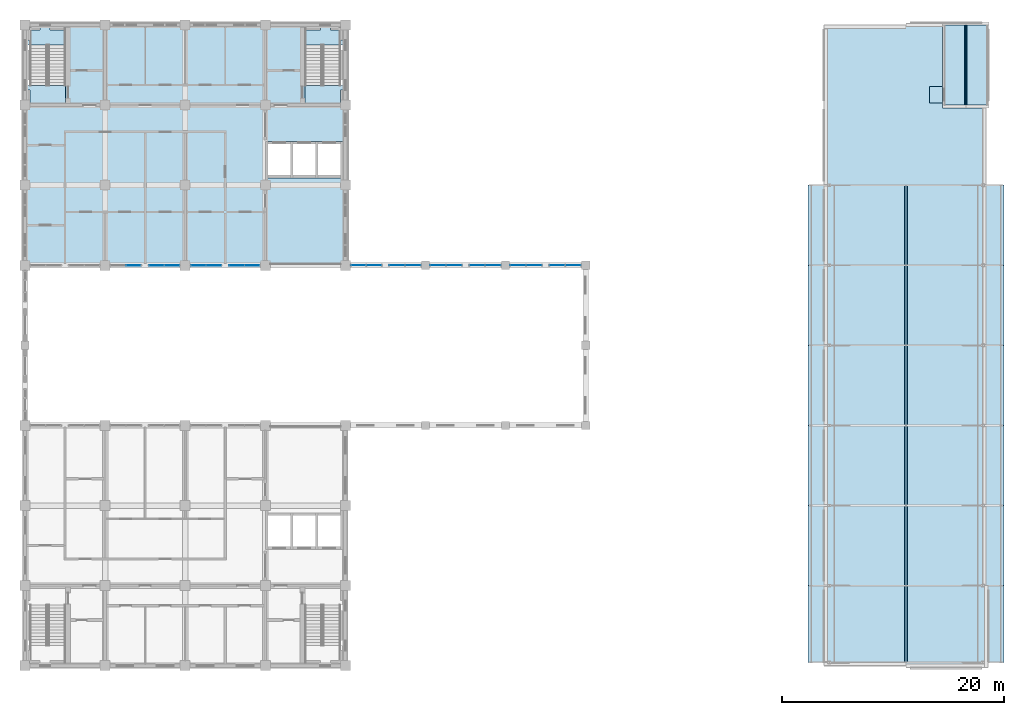
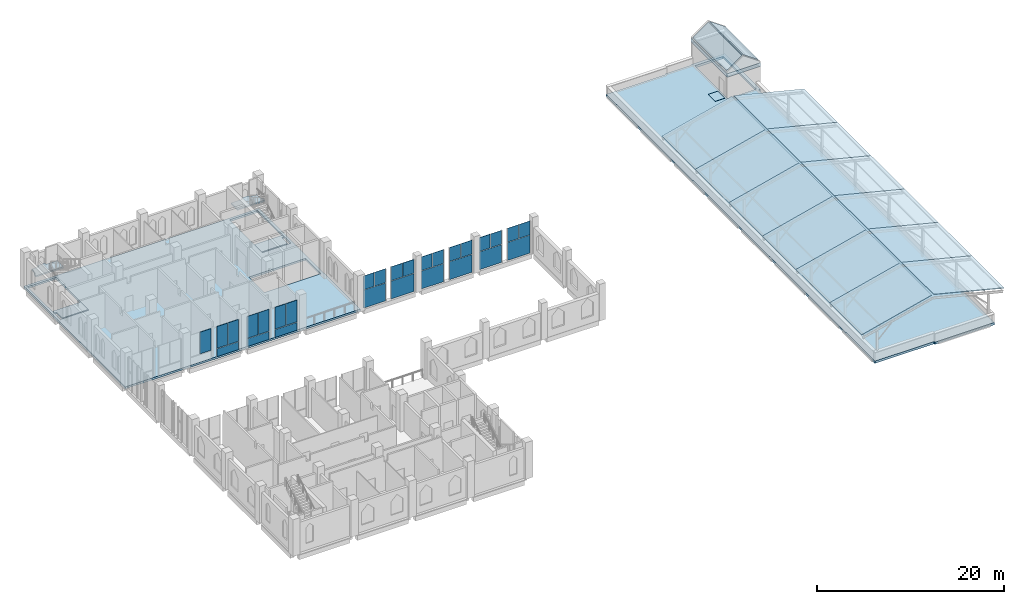
# One storey, part 18 of 30: 28 plates, 22 slabs, 12 elements without a shape of their own.
"""IFC4 building model written with IfcOpenShell, lengths in metres."""

from ifc_helpers import new_model, si_unit, direction, frame, origin, origin_2d, place, context, subcontext, project, spatial, polyline, rectangle, outline, extrude, material, layer, layer_set, type_object, element, aggregate, save


model = new_model("IFC4")

# Units and contexts
model_context = context("Model", 3, precision=1e-05, world=origin(), true_north=direction((0.0, 1.0)))
body_context = subcontext(model_context, "Body", "Model", "MODEL_VIEW")
ifc_project = project(units=[si_unit("LENGTHUNIT", "METRE"), si_unit("AREAUNIT", "SQUARE_METRE"), si_unit("VOLUMEUNIT", "CUBIC_METRE"), si_unit("PLANEANGLEUNIT", "RADIAN"), si_unit("MASSUNIT", "GRAM", prefix="KILO")], contexts=[model_context])

# Site, building, storey
site_placement = place(None, origin())
site = spatial("IfcSite", under=ifc_project, at=site_placement, CompositionType="ELEMENT")
building_placement = place(site_placement, origin())
building = spatial("IfcBuilding", under=site, at=building_placement, Name="Silangan Lancet Faculty of Sciences", CompositionType="ELEMENT")
storey_placement = place(building_placement, frame((0.0, 0.0, 31.199951171875)))
storey = spatial("IfcBuildingStorey", under=building, at=storey_placement, Name="L06", CompositionType="ELEMENT", Elevation=31.199951171875)

# Curtain wall, plates
ifc_material_1 = material(Name="Aluminium framed curtain wall with insulated glass", Category="aluminium")
curtain_wall_type_1 = type_object("IfcCurtainWallType", Name="CW5 Nave north light glazing", PredefinedType="NOTDEFINED", material=ifc_material_1)
curtain_wall_1_placement = place(storey_placement, origin())
curtain_wall_1 = element("IfcCurtainWall", 1, at=curtain_wall_1_placement, inside=storey, type_object=curtain_wall_type_1, Name="CW5 Nave north lights L06 bay 1", PredefinedType="NOTDEFINED")
ifc_material_2 = material(Name="Insulated glass unit 8+16+8 low-emissivity", Category="glass")
ifc_layer_1 = layer(ifc_material_2, 0.031982421875)
ifc_layer_set_1 = layer_set([ifc_layer_1], Name="Insulated glass unit 8+16+8 low-emissivity")
plate_type_1 = type_object("IfcPlateType", Name="CP1 Panel vision glass 32", PredefinedType="CURTAIN_PANEL", material=ifc_layer_set_1)
plate_1_placement = place(storey_placement, frame((48.5625, 36.0, 0.0), z_axis=(0.0, 0.0, 1.0), x_axis=(-1.0, 0.0, 0.0)))
plate_1 = element("IfcPlate", 2, at=plate_1_placement, type_object=plate_type_1, Name="CW5 Nave north lights L06 bay 1 panel 1", PredefinedType="CURTAIN_PANEL", context=body_context, shape_type="SweptSolid", body=[
    extrude(rectangle(XDim=2.804931640625, YDim=0.031982421875, at=origin_2d()), origin(), (0.0, 0.0, 1.0), 2.340087890625),
])
plate_2_placement = place(storey_placement, frame((49.27880859375, 36.0, 2.39990234375), z_axis=(0.0, 0.0, 1.0), x_axis=(-1.0, 0.0, 0.0)))
plate_2 = element("IfcPlate", 3, at=plate_2_placement, type_object=plate_type_1, Name="CW5 Nave north lights L06 bay 1 panel 2", PredefinedType="CURTAIN_PANEL", context=body_context, shape_type="SweptSolid", body=[
    extrude(rectangle(XDim=1.37255859375, YDim=0.031982421875, at=origin_2d()), origin(), (0.0, 0.0, 1.0), 1.800048828125),
])
plate_3_placement = place(storey_placement, frame((47.84619140625, 36.0, 2.39990234375), z_axis=(0.0, 0.0, 1.0), x_axis=(-1.0, 0.0, 0.0)))
plate_3 = element("IfcPlate", 4, at=plate_3_placement, type_object=plate_type_1, Name="CW5 Nave north lights L06 bay 1 panel 3", PredefinedType="CURTAIN_PANEL", context=body_context, shape_type="SweptSolid", body=[
    extrude(rectangle(XDim=1.37255859375, YDim=0.031982421875, at=origin_2d()), origin(), (0.0, 0.0, 1.0), 1.800048828125),
])
aggregate(curtain_wall_1, [plate_1, plate_2, plate_3])

curtain_wall_2_placement = place(storey_placement, origin())
curtain_wall_2 = element("IfcCurtainWall", 5, at=curtain_wall_2_placement, inside=storey, type_object=curtain_wall_type_1, Name="CW5 Nave north lights L06 bay 2", PredefinedType="NOTDEFINED")
plate_4_placement = place(storey_placement, frame((45.03759765625, 36.0, 0.0), z_axis=(0.0, 0.0, 1.0), x_axis=(-1.0, 0.0, 0.0)))
plate_4 = element("IfcPlate", 6, at=plate_4_placement, type_object=plate_type_1, Name="CW5 Nave north lights L06 bay 2 panel 1", PredefinedType="CURTAIN_PANEL", context=body_context, shape_type="SweptSolid", body=[
    extrude(rectangle(XDim=2.804931640625, YDim=0.031982421875, at=origin_2d()), origin(), (0.0, 0.0, 1.0), 2.340087890625),
])
plate_5_placement = place(storey_placement, frame((45.753662109375, 36.0, 2.39990234375), z_axis=(0.0, 0.0, 1.0), x_axis=(-1.0, 0.0, 0.0)))
plate_5 = element("IfcPlate", 7, at=plate_5_placement, type_object=plate_type_1, Name="CW5 Nave north lights L06 bay 2 panel 2", PredefinedType="CURTAIN_PANEL", context=body_context, shape_type="SweptSolid", body=[
    extrude(rectangle(XDim=1.37255859375, YDim=0.031982421875, at=origin_2d()), origin(), (0.0, 0.0, 1.0), 1.800048828125),
])
plate_6_placement = place(storey_placement, frame((44.3212890625, 36.0, 2.39990234375), z_axis=(0.0, 0.0, 1.0), x_axis=(-1.0, 0.0, 0.0)))
plate_6 = element("IfcPlate", 8, at=plate_6_placement, type_object=plate_type_1, Name="CW5 Nave north lights L06 bay 2 panel 3", PredefinedType="CURTAIN_PANEL", context=body_context, shape_type="SweptSolid", body=[
    extrude(rectangle(XDim=1.37255859375, YDim=0.031982421875, at=origin_2d()), origin(), (0.0, 0.0, 1.0), 1.800048828125),
])
aggregate(curtain_wall_2, [plate_4, plate_5, plate_6])

curtain_wall_3_placement = place(storey_placement, origin())
curtain_wall_3 = element("IfcCurtainWall", 9, at=curtain_wall_3_placement, inside=storey, type_object=curtain_wall_type_1, Name="CW5 Nave north lights L06 bay 3", PredefinedType="NOTDEFINED")
plate_7_placement = place(storey_placement, frame((41.362548828125, 36.0, 0.0), z_axis=(0.0, 0.0, 1.0), x_axis=(-1.0, 0.0, 0.0)))
plate_7 = element("IfcPlate", 10, at=plate_7_placement, type_object=plate_type_1, Name="CW5 Nave north lights L06 bay 3 panel 1", PredefinedType="CURTAIN_PANEL", context=body_context, shape_type="SweptSolid", body=[
    extrude(rectangle(XDim=2.804931640625, YDim=0.031982421875, at=origin_2d()), origin(), (0.0, 0.0, 1.0), 2.340087890625),
])
plate_8_placement = place(storey_placement, frame((42.078857421875, 36.0, 2.39990234375), z_axis=(0.0, 0.0, 1.0), x_axis=(-1.0, 0.0, 0.0)))
plate_8 = element("IfcPlate", 11, at=plate_8_placement, type_object=plate_type_1, Name="CW5 Nave north lights L06 bay 3 panel 2", PredefinedType="CURTAIN_PANEL", context=body_context, shape_type="SweptSolid", body=[
    extrude(rectangle(XDim=1.37255859375, YDim=0.031982421875, at=origin_2d()), origin(), (0.0, 0.0, 1.0), 1.800048828125),
])
plate_9_placement = place(storey_placement, frame((40.646240234375, 36.0, 2.39990234375), z_axis=(0.0, 0.0, 1.0), x_axis=(-1.0, 0.0, 0.0)))
plate_9 = element("IfcPlate", 12, at=plate_9_placement, type_object=plate_type_1, Name="CW5 Nave north lights L06 bay 3 panel 3", PredefinedType="CURTAIN_PANEL", context=body_context, shape_type="SweptSolid", body=[
    extrude(rectangle(XDim=1.37255859375, YDim=0.031982421875, at=origin_2d()), origin(), (0.0, 0.0, 1.0), 1.800048828125),
])
aggregate(curtain_wall_3, [plate_7, plate_8, plate_9])

curtain_wall_4_placement = place(storey_placement, origin())
curtain_wall_4 = element("IfcCurtainWall", 13, at=curtain_wall_4_placement, inside=storey, type_object=curtain_wall_type_1, Name="CW5 Nave north lights L06 bay 4", PredefinedType="NOTDEFINED")
plate_10_placement = place(storey_placement, frame((37.837646484375, 36.0, 0.0), z_axis=(0.0, 0.0, 1.0), x_axis=(-1.0, 0.0, 0.0)))
plate_10 = element("IfcPlate", 14, at=plate_10_placement, type_object=plate_type_1, Name="CW5 Nave north lights L06 bay 4 panel 1", PredefinedType="CURTAIN_PANEL", context=body_context, shape_type="SweptSolid", body=[
    extrude(rectangle(XDim=2.80517578125, YDim=0.031982421875, at=origin_2d()), origin(), (0.0, 0.0, 1.0), 2.340087890625),
])
plate_11_placement = place(storey_placement, frame((38.5537109375, 36.0, 2.39990234375), z_axis=(0.0, 0.0, 1.0), x_axis=(-1.0, 0.0, 0.0)))
plate_11 = element("IfcPlate", 15, at=plate_11_placement, type_object=plate_type_1, Name="CW5 Nave north lights L06 bay 4 panel 2", PredefinedType="CURTAIN_PANEL", context=body_context, shape_type="SweptSolid", body=[
    extrude(rectangle(XDim=1.37255859375, YDim=0.031982421875, at=origin_2d()), origin(), (0.0, 0.0, 1.0), 1.800048828125),
])
plate_12_placement = place(storey_placement, frame((37.121337890625, 36.0, 2.39990234375), z_axis=(0.0, 0.0, 1.0), x_axis=(-1.0, 0.0, 0.0)))
plate_12 = element("IfcPlate", 16, at=plate_12_placement, type_object=plate_type_1, Name="CW5 Nave north lights L06 bay 4 panel 3", PredefinedType="CURTAIN_PANEL", context=body_context, shape_type="SweptSolid", body=[
    extrude(rectangle(XDim=1.37255859375, YDim=0.031982421875, at=origin_2d()), origin(), (0.0, 0.0, 1.0), 1.800048828125),
])
aggregate(curtain_wall_4, [plate_10, plate_11, plate_12])

curtain_wall_5_placement = place(storey_placement, origin())
curtain_wall_5 = element("IfcCurtainWall", 17, at=curtain_wall_5_placement, inside=storey, type_object=curtain_wall_type_1, Name="CW5 Nave north lights L06 bay 5", PredefinedType="NOTDEFINED")
plate_13_placement = place(storey_placement, frame((34.162353515625, 36.0, 0.0), z_axis=(0.0, 0.0, 1.0), x_axis=(-1.0, 0.0, 0.0)))
plate_13 = element("IfcPlate", 18, at=plate_13_placement, type_object=plate_type_1, Name="CW5 Nave north lights L06 bay 5 panel 1", PredefinedType="CURTAIN_PANEL", context=body_context, shape_type="SweptSolid", body=[
    extrude(rectangle(XDim=2.80517578125, YDim=0.031982421875, at=origin_2d()), origin(), (0.0, 0.0, 1.0), 2.340087890625),
])
plate_14_placement = place(storey_placement, frame((34.878662109375, 36.0, 2.39990234375), z_axis=(0.0, 0.0, 1.0), x_axis=(-1.0, 0.0, 0.0)))
plate_14 = element("IfcPlate", 19, at=plate_14_placement, type_object=plate_type_1, Name="CW5 Nave north lights L06 bay 5 panel 2", PredefinedType="CURTAIN_PANEL", context=body_context, shape_type="SweptSolid", body=[
    extrude(rectangle(XDim=1.37255859375, YDim=0.031982421875, at=origin_2d()), origin(), (0.0, 0.0, 1.0), 1.800048828125),
])
plate_15_placement = place(storey_placement, frame((33.4462890625, 36.0, 2.39990234375), z_axis=(0.0, 0.0, 1.0), x_axis=(-1.0, 0.0, 0.0)))
plate_15 = element("IfcPlate", 20, at=plate_15_placement, type_object=plate_type_1, Name="CW5 Nave north lights L06 bay 5 panel 3", PredefinedType="CURTAIN_PANEL", context=body_context, shape_type="SweptSolid", body=[
    extrude(rectangle(XDim=1.37255859375, YDim=0.031982421875, at=origin_2d()), origin(), (0.0, 0.0, 1.0), 1.800048828125),
])
aggregate(curtain_wall_5, [plate_13, plate_14, plate_15])

curtain_wall_6_placement = place(storey_placement, origin())
curtain_wall_6 = element("IfcCurtainWall", 21, at=curtain_wall_6_placement, inside=storey, type_object=curtain_wall_type_1, Name="CW5 Nave north lights L06 bay 6", PredefinedType="NOTDEFINED")
plate_16_placement = place(storey_placement, frame((30.675048828125, 36.0, 0.0), z_axis=(0.0, 0.0, 1.0), x_axis=(-1.0, 0.0, 0.0)))
plate_16 = element("IfcPlate", 22, at=plate_16_placement, type_object=plate_type_1, Name="CW5 Nave north lights L06 bay 6 panel 1", PredefinedType="CURTAIN_PANEL", context=body_context, shape_type="SweptSolid", body=[
    extrude(rectangle(XDim=2.72998046875, YDim=0.031982421875, at=origin_2d()), origin(), (0.0, 0.0, 1.0), 2.340087890625),
])
plate_17_placement = place(storey_placement, frame((31.372314453125, 36.0, 2.39990234375), z_axis=(0.0, 0.0, 1.0), x_axis=(-1.0, 0.0, 0.0)))
plate_17 = element("IfcPlate", 23, at=plate_17_placement, type_object=plate_type_1, Name="CW5 Nave north lights L06 bay 6 panel 2", PredefinedType="CURTAIN_PANEL", context=body_context, shape_type="SweptSolid", body=[
    extrude(rectangle(XDim=1.3349609375, YDim=0.031982421875, at=origin_2d()), origin(), (0.0, 0.0, 1.0), 1.800048828125),
])
plate_18_placement = place(storey_placement, frame((29.9775390625, 36.0, 2.39990234375), z_axis=(0.0, 0.0, 1.0), x_axis=(-1.0, 0.0, 0.0)))
plate_18 = element("IfcPlate", 24, at=plate_18_placement, type_object=plate_type_1, Name="CW5 Nave north lights L06 bay 6 panel 3", PredefinedType="CURTAIN_PANEL", context=body_context, shape_type="SweptSolid", body=[
    extrude(rectangle(XDim=1.3349609375, YDim=0.031982421875, at=origin_2d()), origin(), (0.0, 0.0, 1.0), 1.800048828125),
])
aggregate(curtain_wall_6, [plate_16, plate_17, plate_18])

# Curtain wall, plate
ifc_material_3 = material(Name="Aluminium framed curtain wall with insulated glass", Category="aluminium")
curtain_wall_type_2 = type_object("IfcCurtainWallType", Name="CW2 Atrium fire-resisting screen", PredefinedType="NOTDEFINED", material=ifc_material_3)
curtain_wall_7_placement = place(storey_placement, origin())
curtain_wall_7 = element("IfcCurtainWall", 25, at=curtain_wall_7_placement, inside=storey, type_object=curtain_wall_type_2, Name="CW2 Atrium north L06 bay 3", PredefinedType="NOTDEFINED")
ifc_material_4 = material(Name="Fire-resisting glass unit 40 mm, integrity E", Category="glass")
ifc_layer_2 = layer(ifc_material_4, 0.0400390625)
ifc_layer_set_2 = layer_set([ifc_layer_2], Name="Fire-resisting glass unit 40 mm, integrity E")
plate_type_2 = type_object("IfcPlateType", Name="CP3 Panel fire-resisting glass 40", PredefinedType="CURTAIN_PANEL", material=ifc_layer_set_2)
plate_19_placement = place(storey_placement, frame((9.768798828125, 36.0, 1.10009765625), z_axis=(0.0, 0.0, 1.0), x_axis=(1.0, 0.0, 0.0)))
plate_19 = element("IfcPlate", 26, at=plate_19_placement, type_object=plate_type_2, Name="CW2 Atrium north L06 bay 3 panel 3", PredefinedType="CURTAIN_PANEL", context=body_context, shape_type="SweptSolid", body=[
    extrude(rectangle(XDim=1.3125, YDim=0.0400390625, at=origin_2d()), origin(), (0.0, 0.0, 1.0), 2.85009765625),
])
aggregate(curtain_wall_7, [plate_19])

# Curtain wall, plates
curtain_wall_8_placement = place(storey_placement, origin())
curtain_wall_8 = element("IfcCurtainWall", 27, at=curtain_wall_8_placement, inside=storey, type_object=curtain_wall_type_2, Name="CW2 Atrium north L06 bay 4", PredefinedType="NOTDEFINED")
plate_20_placement = place(storey_placement, frame((12.52490234375, 36.0, 0.0), z_axis=(0.0, 0.0, 1.0), x_axis=(1.0, 0.0, 0.0)))
plate_20 = element("IfcPlate", 28, at=plate_20_placement, type_object=plate_type_2, Name="CW2 Atrium north L06 bay 4 panel 1", PredefinedType="CURTAIN_PANEL", context=body_context, shape_type="SweptSolid", body=[
    extrude(rectangle(XDim=2.699951171875, YDim=0.0400390625, at=origin_2d()), origin(), (0.0, 0.0, 1.0), 1.02490234375),
])
plate_21_placement = place(storey_placement, frame((11.831298828125, 36.0, 1.10009765625), z_axis=(0.0, 0.0, 1.0), x_axis=(1.0, 0.0, 0.0)))
plate_21 = element("IfcPlate", 29, at=plate_21_placement, type_object=plate_type_2, Name="CW2 Atrium north L06 bay 4 panel 2", PredefinedType="CURTAIN_PANEL", context=body_context, shape_type="SweptSolid", body=[
    extrude(rectangle(XDim=1.3125, YDim=0.0400390625, at=origin_2d()), origin(), (0.0, 0.0, 1.0), 2.85009765625),
])
plate_22_placement = place(storey_placement, frame((13.21875, 36.0, 1.10009765625), z_axis=(0.0, 0.0, 1.0), x_axis=(1.0, 0.0, 0.0)))
plate_22 = element("IfcPlate", 30, at=plate_22_placement, type_object=plate_type_2, Name="CW2 Atrium north L06 bay 4 panel 3", PredefinedType="CURTAIN_PANEL", context=body_context, shape_type="SweptSolid", body=[
    extrude(rectangle(XDim=1.3125, YDim=0.0400390625, at=origin_2d()), origin(), (0.0, 0.0, 1.0), 2.85009765625),
])
aggregate(curtain_wall_8, [plate_20, plate_21, plate_22])

curtain_wall_9_placement = place(storey_placement, origin())
curtain_wall_9 = element("IfcCurtainWall", 31, at=curtain_wall_9_placement, inside=storey, type_object=curtain_wall_type_2, Name="CW2 Atrium north L06 bay 5", PredefinedType="NOTDEFINED")
plate_23_placement = place(storey_placement, frame((16.27490234375, 36.0, 0.0), z_axis=(0.0, 0.0, 1.0), x_axis=(1.0, 0.0, 0.0)))
plate_23 = element("IfcPlate", 32, at=plate_23_placement, type_object=plate_type_2, Name="CW2 Atrium north L06 bay 5 panel 1", PredefinedType="CURTAIN_PANEL", context=body_context, shape_type="SweptSolid", body=[
    extrude(rectangle(XDim=2.699951171875, YDim=0.0400390625, at=origin_2d()), origin(), (0.0, 0.0, 1.0), 1.02490234375),
])
plate_24_placement = place(storey_placement, frame((15.581298828125, 36.0, 1.10009765625), z_axis=(0.0, 0.0, 1.0), x_axis=(1.0, 0.0, 0.0)))
plate_24 = element("IfcPlate", 33, at=plate_24_placement, type_object=plate_type_2, Name="CW2 Atrium north L06 bay 5 panel 2", PredefinedType="CURTAIN_PANEL", context=body_context, shape_type="SweptSolid", body=[
    extrude(rectangle(XDim=1.3125, YDim=0.0400390625, at=origin_2d()), origin(), (0.0, 0.0, 1.0), 2.85009765625),
])
plate_25_placement = place(storey_placement, frame((16.96875, 36.0, 1.10009765625), z_axis=(0.0, 0.0, 1.0), x_axis=(1.0, 0.0, 0.0)))
plate_25 = element("IfcPlate", 34, at=plate_25_placement, type_object=plate_type_2, Name="CW2 Atrium north L06 bay 5 panel 3", PredefinedType="CURTAIN_PANEL", context=body_context, shape_type="SweptSolid", body=[
    extrude(rectangle(XDim=1.3125, YDim=0.0400390625, at=origin_2d()), origin(), (0.0, 0.0, 1.0), 2.85009765625),
])
aggregate(curtain_wall_9, [plate_23, plate_24, plate_25])

curtain_wall_10_placement = place(storey_placement, origin())
curtain_wall_10 = element("IfcCurtainWall", 35, at=curtain_wall_10_placement, inside=storey, type_object=curtain_wall_type_2, Name="CW2 Atrium north L06 bay 6", PredefinedType="NOTDEFINED")
plate_26_placement = place(storey_placement, frame((19.72509765625, 36.0, 0.0), z_axis=(0.0, 0.0, 1.0), x_axis=(1.0, 0.0, 0.0)))
plate_26 = element("IfcPlate", 36, at=plate_26_placement, type_object=plate_type_2, Name="CW2 Atrium north L06 bay 6 panel 1", PredefinedType="CURTAIN_PANEL", context=body_context, shape_type="SweptSolid", body=[
    extrude(rectangle(XDim=2.699951171875, YDim=0.0400390625, at=origin_2d()), origin(), (0.0, 0.0, 1.0), 1.02490234375),
])
plate_27_placement = place(storey_placement, frame((19.03125, 36.0, 1.10009765625), z_axis=(0.0, 0.0, 1.0), x_axis=(1.0, 0.0, 0.0)))
plate_27 = element("IfcPlate", 37, at=plate_27_placement, type_object=plate_type_2, Name="CW2 Atrium north L06 bay 6 panel 2", PredefinedType="CURTAIN_PANEL", context=body_context, shape_type="SweptSolid", body=[
    extrude(rectangle(XDim=1.3125, YDim=0.0400390625, at=origin_2d()), origin(), (0.0, 0.0, 1.0), 2.85009765625),
])
plate_28_placement = place(storey_placement, frame((20.418701171875, 36.0, 1.10009765625), z_axis=(0.0, 0.0, 1.0), x_axis=(1.0, 0.0, 0.0)))
plate_28 = element("IfcPlate", 38, at=plate_28_placement, type_object=plate_type_2, Name="CW2 Atrium north L06 bay 6 panel 3", PredefinedType="CURTAIN_PANEL", context=body_context, shape_type="SweptSolid", body=[
    extrude(rectangle(XDim=1.3125, YDim=0.0400390625, at=origin_2d()), origin(), (0.0, 0.0, 1.0), 2.85009765625),
])
aggregate(curtain_wall_10, [plate_26, plate_27, plate_28])

# Slabs
ifc_material_5 = material(Name="Concrete C35/45", Category="concrete")
ifc_layer_3 = layer(ifc_material_5, 0.449951171875)
ifc_layer_set_3 = layer_set([ifc_layer_3], Name="Concrete C35/45")
slab_type_1 = type_object("IfcSlabType", Name="Head-house lid slab 450", PredefinedType="FLOOR", material=ifc_layer_set_3)
slab_1_placement = place(storey_placement, frame((0.0, 0.0, 3.0)))
element("IfcSlab", 39, at=slab_1_placement, inside=storey, type_object=slab_type_1, Name="Head-house EB-B lid slab", PredefinedType="FLOOR", context=body_context, shape_type="SweptSolid", body=[
    extrude(outline(polyline([(82.5, 50.14990234375), (86.64990234375, 50.14990234375), (86.64990234375, 57.85009765625), (82.5, 57.85009765625), (82.5, 50.14990234375)])), origin(), (0.0, 0.0, 1.0), 0.449951171875),
])
ifc_material_6 = material(Name="Concrete C35/45 precast", Category="concrete")
ifc_layer_4 = layer(ifc_material_6, 0.1201171875)
ifc_layer_set_4 = layer_set([ifc_layer_4], Name="Concrete C35/45 precast")
slab_type_2 = type_object("IfcSlabType", Name="Head-house roof panel 120", PredefinedType="ROOF", material=ifc_layer_set_4)
slab_2_placement = place(storey_placement, frame((82.55615234375, 50.39990234375, 3.6982421875), z_axis=(-0.5734273892, 0.0, 0.819256388022), x_axis=(0.0, 1.0, 0.0)))
element("IfcSlab", 40, at=slab_2_placement, inside=storey, type_object=slab_type_2, Name="Head-house EB-B roof panel W", PredefinedType="ROOF", context=body_context, shape_type="SweptSolid", body=[
    extrude(outline(polyline([(0.0, 0.0), (7.2001953125, 0.0), (7.2001953125, -2.343791325522714), (0.0, -2.343791325522714), (0.0, 0.0)])), origin(), (0.0, 0.0, -1.0), 0.1201171875),
])
slab_3_placement = place(storey_placement, frame((86.59375, 50.39990234375, 3.6982421875), z_axis=(0.573476327329, 0.0, 0.819222132265), x_axis=(0.0, 1.0, 0.0)))
element("IfcSlab", 41, at=slab_3_placement, inside=storey, type_object=slab_type_2, Name="Head-house EB-B roof panel E", PredefinedType="ROOF", context=body_context, shape_type="SweptSolid", body=[
    extrude(outline(polyline([(0.0, 0.0), (7.2001953125, 0.0), (7.2001953125, 2.343591315937539), (0.0, 2.343591315937539), (0.0, 0.0)])), origin(), (0.0, 0.0, -1.0), 0.1201171875),
])
ifc_material_7 = material(Name="Concrete C35/45 precast", Category="concrete")
ifc_layer_5 = layer(ifc_material_7, 0.02001953125)
ifc_layer_set_5 = layer_set([ifc_layer_5], Name="Concrete C35/45 precast")
slab_type_3 = type_object("IfcSlabType", Name="Roof door landing paver", PredefinedType="LANDING", material=ifc_layer_set_5)
slab_4_placement = place(storey_placement, origin())
element("IfcSlab", 42, at=slab_4_placement, inside=storey, type_object=slab_type_3, Name="Roof door landing EB-B", PredefinedType="LANDING", context=body_context, shape_type="SweptSolid", body=[
    extrude(outline(polyline([(81.300048828125, 50.58740234375), (82.5, 50.58740234375), (82.5, 52.08740234375), (81.300048828125, 52.08740234375), (81.300048828125, 50.58740234375)])), origin(), (0.0, 0.0, 1.0), 0.02001953125),
])
ifc_material_8 = material(Name="Insulated cold-formed steel roof sheeting", Category="steel")
ifc_layer_6 = layer(ifc_material_8, 0.10009765625)
ifc_layer_set_6 = layer_set([ifc_layer_6], Name="Insulated cold-formed steel roof sheeting")
slab_type_4 = type_object("IfcSlabType", Name="Roof sheeting panel 100", PredefinedType="ROOF", material=ifc_layer_set_6)
for number, where, z_axis, x_axis, name in (
    (43, (70.390869140625, 0.300048828125, 3.782470703125), (-0.24255487563, 0.0, 0.970137687294), (0.0, 1.0, 0.0), "Canopy sheeting 1W"),
    (44, (79.32421875, 0.300048828125, 5.953857421875), (0.24255487563, 0.0, 0.970137687294), (0.0, 1.0, 0.0), "Canopy sheeting 1E"),
):
    element("IfcSlab", number, at=place(storey_placement, frame(where, z_axis=z_axis, x_axis=x_axis)), inside=storey, type_object=slab_type_4, Name=name, PredefinedType="ROOF", context=body_context, shape_type="SweptSolid", body=[
        extrude(outline(polyline([(0.0, 0.0), (6.89990234375, 0.0), (6.89990234375, -8.952146243643073), (0.0, -8.952146243643073), (0.0, 0.0)])), origin(), (0.0, 0.0, -1.0), 0.10009765625),
    ])
for number, where, z_axis, x_axis, name in (
    (45, (70.390869140625, 7.199951171875, 3.782470703125), (-0.24255487563, 0.0, 0.970137687294), (0.0, 1.0, 0.0), "Canopy sheeting 2W"),
    (46, (79.32421875, 7.199951171875, 5.953857421875), (0.24255487563, 0.0, 0.970137687294), (0.0, 1.0, 0.0), "Canopy sheeting 2E"),
):
    element("IfcSlab", number, at=place(storey_placement, frame(where, z_axis=z_axis, x_axis=x_axis)), inside=storey, type_object=slab_type_4, Name=name, PredefinedType="ROOF", context=body_context, shape_type="SweptSolid", body=[
        extrude(outline(polyline([(0.0, 0.0), (7.199951171875, 0.0), (7.199951171875, -8.952146243643073), (0.0, -8.952146243643073), (0.0, 0.0)])), origin(), (0.0, 0.0, -1.0), 0.10009765625),
    ])
for number, where, z_axis, x_axis, name in (
    (47, (70.390869140625, 14.39990234375, 3.782470703125), (-0.24255487563, 0.0, 0.970137687294), (0.0, 1.0, 0.0), "Canopy sheeting 3W"),
    (48, (79.32421875, 14.39990234375, 5.953857421875), (0.24255487563, 0.0, 0.970137687294), (0.0, 1.0, 0.0), "Canopy sheeting 3E"),
):
    element("IfcSlab", number, at=place(storey_placement, frame(where, z_axis=z_axis, x_axis=x_axis)), inside=storey, type_object=slab_type_4, Name=name, PredefinedType="ROOF", context=body_context, shape_type="SweptSolid", body=[
        extrude(outline(polyline([(0.0, 0.0), (7.2001953125, 0.0), (7.2001953125, -8.952146243643075), (0.0, -8.952146243643075), (0.0, 0.0)])), origin(), (0.0, 0.0, -1.0), 0.10009765625),
    ])
for number, where, z_axis, x_axis, name in (
    (49, (70.390869140625, 21.60009765625, 3.782470703125), (-0.24255487563, 0.0, 0.970137687294), (0.0, 1.0, 0.0), "Canopy sheeting 4W"),
    (50, (79.32421875, 21.60009765625, 5.953857421875), (0.24255487563, 0.0, 0.970137687294), (0.0, 1.0, 0.0), "Canopy sheeting 4E"),
    (51, (70.390869140625, 28.800048828125, 3.782470703125), (-0.24255487563, 0.0, 0.970137687294), (0.0, 1.0, 0.0), "Canopy sheeting 5W"),
    (52, (79.32421875, 28.800048828125, 5.953857421875), (0.24255487563, 0.0, 0.970137687294), (0.0, 1.0, 0.0), "Canopy sheeting 5E"),
    (53, (70.390869140625, 36.0, 3.782470703125), (-0.24255487563, 0.0, 0.970137687294), (0.0, 1.0, 0.0), "Canopy sheeting 6W"),
    (54, (79.32421875, 36.0, 5.953857421875), (0.24255487563, 0.0, 0.970137687294), (0.0, 1.0, 0.0), "Canopy sheeting 6E"),
):
    element("IfcSlab", number, at=place(storey_placement, frame(where, z_axis=z_axis, x_axis=x_axis)), inside=storey, type_object=slab_type_4, Name=name, PredefinedType="ROOF", context=body_context, shape_type="SweptSolid", body=[
        extrude(outline(polyline([(0.0, 0.0), (7.199951171875, 0.0), (7.199951171875, -8.952146243643073), (0.0, -8.952146243643073), (0.0, 0.0)])), origin(), (0.0, 0.0, -1.0), 0.10009765625),
    ])
ifc_material_9 = material(Name="Concrete C35/45", Category="concrete")
ifc_layer_7 = layer(ifc_material_9, 0.25)
ifc_layer_set_7 = layer_set([ifc_layer_7], Name="Concrete C35/45")
slab_type_5 = type_object("IfcSlabType", Name="SLAB FLOOR 250", PredefinedType="FLOOR", material=ifc_layer_set_7)
slab_5_placement = place(storey_placement, frame((0.0, 0.0, -0.25)))
element("IfcSlab", 55, at=slab_5_placement, inside=storey, type_object=slab_type_5, Name="SLAB-L06-NT", PredefinedType="FLOOR", context=body_context, shape_type="SweptSolid", body=[
    extrude(outline(polyline([(-0.14990234375, 36.0), (28.949951171875, 36.0), (28.949951171875, 57.75), (-0.14990234375, 57.75), (-0.14990234375, 36.0)]), holes=[polyline([(21.60009765625, 47.14990234375), (28.60009765625, 47.14990234375), (28.60009765625, 43.85009765625), (21.60009765625, 43.85009765625), (21.60009765625, 47.14990234375)]), polyline([(0.14990234375, 57.449951171875), (3.64990234375, 57.449951171875), (3.64990234375, 50.39990234375), (0.14990234375, 50.39990234375), (0.14990234375, 57.449951171875)]), polyline([(25.14990234375, 57.449951171875), (28.64990234375, 57.449951171875), (28.64990234375, 50.39990234375), (25.14990234375, 50.39990234375), (25.14990234375, 57.449951171875)])]), origin(), (0.0, 0.0, 1.0), 0.25),
])
ifc_material_10 = material(Name="Concrete C35/45", Category="concrete")
ifc_layer_8 = layer(ifc_material_10, 0.300048828125)
ifc_layer_set_8 = layer_set([ifc_layer_8], Name="Concrete C35/45")
slab_type_6 = type_object("IfcSlabType", Name="SLAB ROOF 300", PredefinedType="ROOF", material=ifc_layer_set_8)
slab_6_placement = place(storey_placement, frame((0.0, 0.0, -0.300048828125)))
element("IfcSlab", 56, at=slab_6_placement, inside=storey, type_object=slab_type_6, Name="RSLAB-L05-EB", PredefinedType="ROOF", context=body_context, shape_type="SweptSolid", body=[
    extrude(outline(polyline([(86.550048828125, 7.199951171875), (86.39990234375, 7.199951171875), (86.39990234375, 50.14990234375), (86.64990234375, 50.14990234375), (86.64990234375, 57.85009765625), (82.5, 57.85009765625), (82.5, 57.75), (79.199951171875, 57.75), (79.199951171875, 57.60009765625), (71.85009765625, 57.60009765625), (71.85009765625, 0.0), (79.199951171875, 0.0), (79.199951171875, -0.14990234375), (86.550048828125, -0.14990234375), (86.550048828125, 7.199951171875)]), holes=[polyline([(86.25, 57.449951171875), (86.25, 50.39990234375), (82.75, 50.39990234375), (82.75, 57.449951171875), (86.25, 57.449951171875)])]), origin(), (0.0, 0.0, 1.0), 0.300048828125),
])

# Stair, slabs
ifc_material_11 = material(Name="Concrete C40/50", Category="concrete")
stair_type = type_object("IfcStairType", Name="TURRET STAIR 1550 TWO-FLIGHT", PredefinedType="HALF_TURN_STAIR", material=ifc_material_11)
stair_1_placement = place(storey_placement, origin())
stair_1 = element("IfcStair", 57, at=stair_1_placement, inside=storey, type_object=stair_type, Name="NT-A stair L06", PredefinedType="HALF_TURN_STAIR")
ifc_material_12 = material(Name="Concrete C40/50", Category="concrete")
ifc_layer_9 = layer(ifc_material_12, 0.179931640625)
ifc_layer_set_9 = layer_set([ifc_layer_9], Name="Concrete C40/50")
slab_type_7 = type_object("IfcSlabType", Name="TURRET STAIR LANDING RC 180", PredefinedType="LANDING", material=ifc_layer_set_9)
slab_7_placement = place(storey_placement, frame((0.0, 0.0, -0.179931640625)))
slab_7 = element("IfcSlab", 58, at=slab_7_placement, type_object=slab_type_7, Name="STR3 landing 1", PredefinedType="LANDING", context=body_context, shape_type="SweptSolid", body=[
    extrude(outline(polyline([(0.449951171875, 51.75), (0.22509765625, 51.75), (0.22509765625, 52.14990234375), (3.64990234375, 52.14990234375), (3.64990234375, 50.52490234375), (0.449951171875, 50.52490234375), (0.449951171875, 51.75)])), origin(), (0.0, 0.0, 1.0), 0.179931640625),
])
slab_8_placement = place(storey_placement, frame((0.0, 0.0, 2.219970703125)))
slab_8 = element("IfcSlab", 59, at=slab_8_placement, type_object=slab_type_7, Name="STR3 landing 2", PredefinedType="LANDING", context=body_context, shape_type="SweptSolid", body=[
    extrude(outline(polyline([(0.449951171875, 57.14990234375), (1.35009765625, 57.14990234375), (1.35009765625, 57.375), (2.25, 57.375), (2.25, 57.14990234375), (3.64990234375, 57.14990234375), (3.64990234375, 55.7900390625), (0.22509765625, 55.7900390625), (0.22509765625, 56.25), (0.449951171875, 56.25), (0.449951171875, 57.14990234375)])), origin(), (0.0, 0.0, 1.0), 0.18017578125),
])
aggregate(stair_1, [slab_7, slab_8])

stair_2_placement = place(storey_placement, origin())
stair_2 = element("IfcStair", 60, at=stair_2_placement, inside=storey, type_object=stair_type, Name="NT-B stair L06", PredefinedType="HALF_TURN_STAIR")
slab_9_placement = place(storey_placement, frame((0.0, 0.0, -0.179931640625)))
slab_9 = element("IfcSlab", 61, at=slab_9_placement, type_object=slab_type_7, Name="STR4 landing 1", PredefinedType="LANDING", context=body_context, shape_type="SweptSolid", body=[
    extrude(outline(polyline([(28.35009765625, 51.75), (28.35009765625, 50.52490234375), (25.14990234375, 50.52490234375), (25.14990234375, 52.14990234375), (28.574951171875, 52.14990234375), (28.574951171875, 51.75), (28.35009765625, 51.75)])), origin(), (0.0, 0.0, 1.0), 0.179931640625),
])
slab_10_placement = place(storey_placement, frame((0.0, 0.0, 2.219970703125)))
slab_10 = element("IfcSlab", 62, at=slab_10_placement, type_object=slab_type_7, Name="STR4 landing 2", PredefinedType="LANDING", context=body_context, shape_type="SweptSolid", body=[
    extrude(outline(polyline([(26.550048828125, 57.14990234375), (26.550048828125, 57.375), (27.449951171875, 57.375), (27.449951171875, 57.14990234375), (28.35009765625, 57.14990234375), (28.35009765625, 56.25), (28.574951171875, 56.25), (28.574951171875, 55.7900390625), (25.14990234375, 55.7900390625), (25.14990234375, 57.14990234375), (26.550048828125, 57.14990234375)])), origin(), (0.0, 0.0, 1.0), 0.18017578125),
])
aggregate(stair_2, [slab_9, slab_10])

save(model, "model.ifc")
